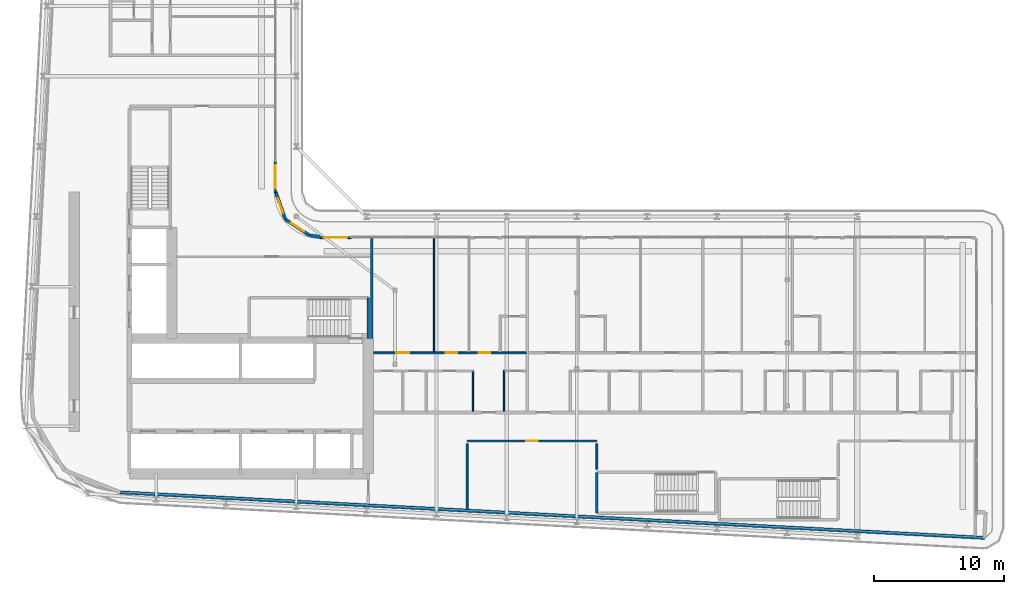
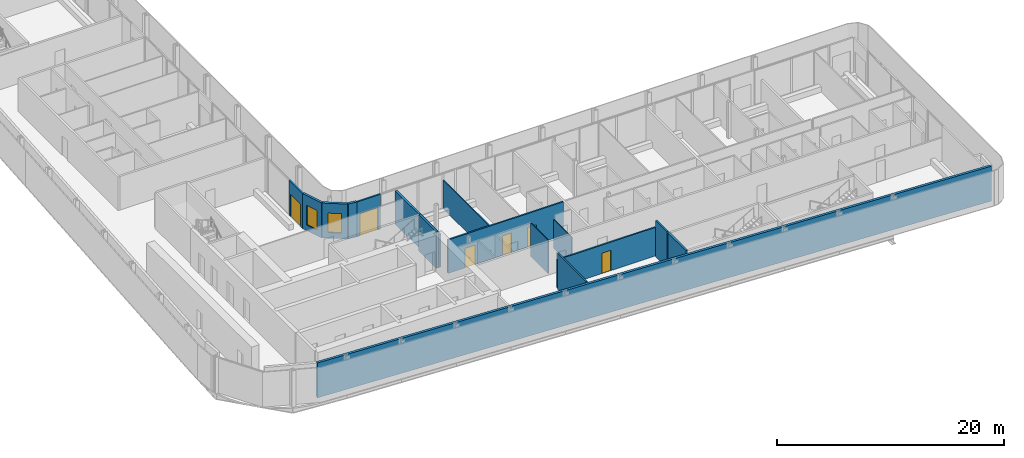
# One storey, part 15 of 28: 16 walls, 6 doors, 2 windows, 8 openings.
"""IFC4 building model written with IfcOpenShell, lengths in metres."""

from ifc_helpers import new_model, si_unit, direction, frame, frame_2d, origin, place, context, subcontext, project, spatial, rectangle, extrude, source, transform, mapped, material, layer, layer_set, type_object, element, fill, save


model = new_model("IFC4")

# Units and contexts
model_context = context("Model", 3, precision=1e-05, world=origin(), true_north=direction((0.0, 1.0)))
body_context = subcontext(model_context, "Body", "Model", "MODEL_VIEW")
ifc_project = project(units=[si_unit("LENGTHUNIT", "METRE"), si_unit("AREAUNIT", "SQUARE_METRE"), si_unit("VOLUMEUNIT", "CUBIC_METRE"), si_unit("PLANEANGLEUNIT", "RADIAN"), si_unit("MASSUNIT", "GRAM", prefix="KILO")], contexts=[model_context])

# Site, building, storey
site_placement = place(None, origin())
site = spatial("IfcSite", under=ifc_project, at=site_placement, CompositionType="ELEMENT")
building_placement = place(site_placement, origin())
building = spatial("IfcBuilding", under=site, at=building_placement, Name="Kheshtan School and Residences Tower", CompositionType="ELEMENT")
storey_placement = place(building_placement, frame((0.0, 0.0, 187.699951171875)))
storey = spatial("IfcBuildingStorey", under=building, at=storey_placement, Name="L44", CompositionType="ELEMENT", Elevation=187.699951171875)

# Wall, opening, window
ifc_material_1 = material(Name="Concrete C40/50 with ceramic cladding and mineral wool insulation", Category="concrete")
ifc_layer_1 = layer(ifc_material_1, 0.25)
ifc_layer_set_1 = layer_set([ifc_layer_1], Name="External wall 250 ceramic clad")
wall_type_1 = type_object("IfcWallType", Name="External wall 250 ceramic clad", PredefinedType="SOLIDWALL", material=ifc_layer_set_1)
wall_1_placement = place(storey_placement, frame((46.01806640625, 47.470947265625, 0.0), z_axis=(0.0, 0.0, 1.0), x_axis=(0.328791208903, -0.944402637093, 0.0)))
wall_1 = element("IfcWall", 1, at=wall_1_placement, inside=storey, type_object=wall_type_1, Name="External wall L44 9", PredefinedType="SOLIDWALL", context=body_context, shape_type="SweptSolid", body=[
    extrude(rectangle(XDim=2.20458984375, YDim=0.25, at=frame_2d((1.102294921875, 0.0))), origin(), (0.0, 0.0, 1.0), 3.75),
])
opening_1_placement = place(wall_1_placement, frame((0.5029296875, 0.0, 0.60009765625)))
opening_1 = element("IfcOpeningElement", 2, at=opening_1_placement, cuts=wall_1, Name="Opening WN-E", PredefinedType="OPENING", context=body_context, shape_type="SweptSolid", body=[
    extrude(rectangle(XDim=1.199951171875, YDim=2.10009765625, at=frame_2d((0.60009765625, 1.050048828125))), frame((0.0, 0.135009765625, 0.0), z_axis=(0.0, -1.0, 0.0), x_axis=(1.0, 0.0, 0.0)), (0.0, 0.0, 1.0), 0.27001953125),
])
ifc_material_2 = material(Name="Clear low-e glass in thermally broken aluminium frame", Category="aluminium")
window_type = type_object("IfcWindowType", Name="Window WN-E", PartitioningType="SINGLE_PANEL", PredefinedType="WINDOW", material=ifc_material_2)
shared_shape_1 = source(origin(), body_context, "Body", "SweptSolid", [
    extrude(rectangle(XDim=1.199951171875, YDim=2.10009765625, at=frame_2d((0.60009765625, 1.050048828125))), frame((0.0, 0.030029296875, 0.0), z_axis=(0.0, -1.0, 0.0), x_axis=(1.0, 0.0, 0.0)), (0.0, 0.0, 1.0), 0.06005859375),
])
window_1_placement = place(opening_1_placement, origin())
window_1 = element("IfcWindow", 3, at=window_1_placement, inside=storey, type_object=window_type, Name="Window L44 9", OverallHeight=2.10009765625, OverallWidth=1.199951171875, PartitioningType="SINGLE_PANEL", PredefinedType="WINDOW", context=body_context, shape_type="MappedRepresentation", body=[
    mapped(shared_shape_1, transform((0.0, 0.0, 0.0), x_axis=(1.0, 0.0, 0.0), y_axis=(0.0, 1.0, 0.0), z_axis=(0.0, 0.0, 1.0), scale=1.0)),
])
fill(opening_1, window_1)

wall_2_placement = place(storey_placement, frame((46.742919921875, 45.388916015625, 0.0), z_axis=(0.0, 0.0, 1.0), x_axis=(0.831449265529, -0.555600682912, 0.0)))
wall_2 = element("IfcWall", 4, at=wall_2_placement, inside=storey, type_object=wall_type_1, Name="External wall L44 10", PredefinedType="SOLIDWALL", context=body_context, shape_type="SweptSolid", body=[
    extrude(rectangle(XDim=2.25146484375, YDim=0.25, at=frame_2d((1.125732421875, 0.0))), origin(), (0.0, 0.0, 1.0), 3.75),
])
opening_2_placement = place(wall_2_placement, frame((0.52490234375, 0.0, 0.60009765625)))
opening_2 = element("IfcOpeningElement", 5, at=opening_2_placement, cuts=wall_2, Name="Opening WN-E", PredefinedType="OPENING", context=body_context, shape_type="SweptSolid", body=[
    extrude(rectangle(XDim=1.199951171875, YDim=2.10009765625, at=frame_2d((0.60009765625, 1.050048828125))), frame((0.0, 0.135009765625, 0.0), z_axis=(0.0, -1.0, 0.0), x_axis=(1.0, 0.0, 0.0)), (0.0, 0.0, 1.0), 0.27001953125),
])
window_2_placement = place(opening_2_placement, origin())
window_2 = element("IfcWindow", 6, at=window_2_placement, inside=storey, type_object=window_type, Name="Window L44 10", OverallHeight=2.10009765625, OverallWidth=1.199951171875, PartitioningType="SINGLE_PANEL", PredefinedType="WINDOW", context=body_context, shape_type="MappedRepresentation", body=[
    mapped(shared_shape_1, transform((0.0, 0.0, 0.0), x_axis=(1.0, 0.0, 0.0), y_axis=(0.0, 1.0, 0.0), z_axis=(0.0, 0.0, 1.0), scale=1.0)),
])
fill(opening_2, window_2)

# Walls
wall_3_placement = place(storey_placement, frame((48.614990234375, 44.137939453125, 0.0), z_axis=(0.0, 0.0, 1.0), x_axis=(0.990741504246, -0.135761819977, 0.0)))
element("IfcWall", 7, at=wall_3_placement, inside=storey, type_object=wall_type_1, Name="External wall L44 11", PredefinedType="SOLIDWALL", context=body_context, shape_type="SweptSolid", body=[
    extrude(rectangle(XDim=0.83984375, YDim=0.25, at=frame_2d((0.419921875, 0.0))), origin(), (0.0, 0.0, 1.0), 3.75),
])
wall_4_placement = place(storey_placement, frame((100.5859375, 20.85009765625, 0.0), z_axis=(0.0, 0.0, 1.0), x_axis=(-0.99861746497, 0.052565755559, 0.0)))
element("IfcWall", 8, at=wall_4_placement, inside=storey, type_object=wall_type_1, Name="External wall L44 16", PredefinedType="SOLIDWALL", context=body_context, shape_type="SweptSolid", body=[
    extrude(rectangle(XDim=66.638916015625, YDim=0.25, at=frame_2d((33.3193359375, 0.0))), origin(), (0.0, 0.0, 1.0), 3.75),
])

# Wall, opening, door
ifc_material_3 = material(Name="Aluminium frame wall with insulated infill", Category="aluminium")
ifc_layer_2 = layer(ifc_material_3, 0.14990234375)
ifc_layer_set_2 = layer_set([ifc_layer_2], Name="Glazing frame wall 150")
wall_type_2 = type_object("IfcWallType", Name="Glazing frame wall 150", PredefinedType="SOLIDWALL", material=ifc_layer_set_2)
wall_5_placement = place(storey_placement, frame((45.97509765625, 49.830078125, 0.0), z_axis=(0.0, 0.0, 1.0), x_axis=(0.0, -1.0, 0.0)))
wall_5 = element("IfcWall", 9, at=wall_5_placement, inside=storey, type_object=wall_type_2, Name="Balcony door wall L44 8.5", PredefinedType="SOLIDWALL", context=body_context, shape_type="SweptSolid", body=[
    extrude(rectangle(XDim=2.400146484375, YDim=0.14990234375, at=frame_2d((1.2001953125, 0.0))), origin(), (0.0, 0.0, 1.0), 3.75),
])
opening_3_placement = place(wall_5_placement, frame((0.300048828125, 0.0, 0.0)))
opening_3 = element("IfcOpeningElement", 10, at=opening_3_placement, cuts=wall_5, Name="Opening BD", PredefinedType="OPENING", context=body_context, shape_type="SweptSolid", body=[
    extrude(rectangle(XDim=1.800048828125, YDim=2.39990234375, at=frame_2d((0.89990234375, 1.199951171875))), frame((0.0, 0.0849609375, 0.0), z_axis=(0.0, -1.0, 0.0), x_axis=(1.0, 0.0, 0.0)), (0.0, 0.0, 1.0), 0.169921875),
])
door_type_1 = type_object("IfcDoorType", Name="Balcony sliding door", OperationType="SLIDING_TO_LEFT", PredefinedType="DOOR", material=ifc_material_2)
shared_shape_2 = source(origin(), body_context, "Body", "SweptSolid", [
    extrude(rectangle(XDim=1.800048828125, YDim=2.39990234375, at=frame_2d((0.89990234375, 1.199951171875))), frame((0.0, 0.02490234375, 0.0), z_axis=(0.0, -1.0, 0.0), x_axis=(1.0, 0.0, 0.0)), (0.0, 0.0, 1.0), 0.050048828125),
])
door_1_placement = place(opening_3_placement, origin())
door_1 = element("IfcDoor", 11, at=door_1_placement, inside=storey, type_object=door_type_1, Name="Balcony door L44 8.5", OperationType="SLIDING_TO_LEFT", OverallHeight=2.39990234375, OverallWidth=1.800048828125, PredefinedType="DOOR", context=body_context, shape_type="MappedRepresentation", body=[
    mapped(shared_shape_2, transform((0.0, 0.0, 0.0), x_axis=(1.0, 0.0, 0.0), y_axis=(0.0, 1.0, 0.0), z_axis=(0.0, 0.0, 1.0), scale=1.0)),
])
fill(opening_3, door_1)

wall_6_placement = place(storey_placement, frame((49.429931640625, 43.97509765625, 0.0), z_axis=(0.0, 0.0, 1.0), x_axis=(1.0, 0.0, 0.0)))
wall_6 = element("IfcWall", 12, at=wall_6_placement, inside=storey, type_object=wall_type_2, Name="Balcony door wall L44 12.1", PredefinedType="SOLIDWALL", context=body_context, shape_type="SweptSolid", body=[
    extrude(rectangle(XDim=2.400146484375, YDim=0.14990234375, at=frame_2d((1.2001953125, 0.0))), origin(), (0.0, 0.0, 1.0), 3.75),
])
opening_4_placement = place(wall_6_placement, frame((0.300048828125, 0.0, 0.0)))
opening_4 = element("IfcOpeningElement", 13, at=opening_4_placement, cuts=wall_6, Name="Opening BD", PredefinedType="OPENING", context=body_context, shape_type="SweptSolid", body=[
    extrude(rectangle(XDim=1.800048828125, YDim=2.39990234375, at=frame_2d((0.89990234375, 1.199951171875))), frame((0.0, 0.0849609375, 0.0), z_axis=(0.0, -1.0, 0.0), x_axis=(1.0, 0.0, 0.0)), (0.0, 0.0, 1.0), 0.169921875),
])
door_2_placement = place(opening_4_placement, origin())
door_2 = element("IfcDoor", 14, at=door_2_placement, inside=storey, type_object=door_type_1, Name="Balcony door L44 12.1", OperationType="SLIDING_TO_LEFT", OverallHeight=2.39990234375, OverallWidth=1.800048828125, PredefinedType="DOOR", context=body_context, shape_type="MappedRepresentation", body=[
    mapped(shared_shape_2, transform((0.0, 0.0, 0.0), x_axis=(1.0, 0.0, 0.0), y_axis=(0.0, 1.0, 0.0), z_axis=(0.0, 0.0, 1.0), scale=1.0)),
])
fill(opening_4, door_2)

# Walls
ifc_material_4 = material(Name="Gypsum board on steel studs", Category="steel")
ifc_layer_3 = layer(ifc_material_4, 0.10009765625)
ifc_layer_set_3 = layer_set([ifc_layer_3], Name="Gypsum partition 100")
wall_type_3 = type_object("IfcWallType", Name="Gypsum partition 100", PredefinedType="PARTITIONING", material=ifc_layer_set_3)
wall_7_placement = place(storey_placement, frame((58.199951171875, 35.175048828125, 0.0), z_axis=(0.0, 0.0, 1.0), x_axis=(0.0, 1.0, 0.0)))
element("IfcWall", 15, at=wall_7_placement, inside=storey, type_object=wall_type_3, Name="Partition L44-040", PredefinedType="PARTITIONING", context=body_context, shape_type="SweptSolid", body=[
    extrude(rectangle(XDim=8.724853515625, YDim=0.10009765625, at=frame_2d((4.3623046875, 0.0))), origin(), (0.0, 0.0, 1.0), 3.072021484375),
])
wall_8_placement = place(storey_placement, frame((61.199951171875, 30.60009765625, 0.0), z_axis=(0.0, 0.0, 1.0), x_axis=(0.0, 1.0, 0.0)))
element("IfcWall", 16, at=wall_8_placement, inside=storey, type_object=wall_type_3, Name="Partition L44-042", PredefinedType="PARTITIONING", context=body_context, shape_type="SweptSolid", body=[
    extrude(rectangle(XDim=3.02490234375, YDim=0.10009765625, at=frame_2d((1.512451171875, 0.0))), origin(), (0.0, 0.0, 1.0), 3.60009765625),
])
wall_9_placement = place(storey_placement, frame((63.60009765625, 30.60009765625, 0.0), z_axis=(0.0, 0.0, 1.0), x_axis=(0.0, 1.0, 0.0)))
element("IfcWall", 17, at=wall_9_placement, inside=storey, type_object=wall_type_3, Name="Partition L44-045", PredefinedType="PARTITIONING", context=body_context, shape_type="SweptSolid", body=[
    extrude(rectangle(XDim=3.14990234375, YDim=0.10009765625, at=frame_2d((1.574951171875, 0.0))), origin(), (0.0, 0.0, 1.0), 3.072021484375),
])

# Wall, opening, door
ifc_material_5 = material(Name="Fire-board shaft wall system")
ifc_layer_4 = layer(ifc_material_5, 0.14990234375)
ifc_layer_set_4 = layer_set([ifc_layer_4], Name="Service room wall 150")
wall_type_4 = type_object("IfcWallType", Name="Service room wall 150", PredefinedType="PARTITIONING", material=ifc_layer_set_4)
wall_10_placement = place(storey_placement, frame((60.75, 28.300048828125, 0.0), z_axis=(0.0, 0.0, 1.0), x_axis=(1.0, 0.0, 0.0)))
wall_10 = element("IfcWall", 18, at=wall_10_placement, inside=storey, type_object=wall_type_4, Name="Service room wall", PredefinedType="PARTITIONING", context=body_context, shape_type="SweptSolid", body=[
    extrude(rectangle(XDim=10.0, YDim=0.14990234375, at=frame_2d((5.0, 0.0))), origin(), (0.0, 0.0, 1.0), 3.072021484375),
])
opening_5_placement = place(wall_10_placement, frame((4.550048828125, 0.0, 0.0)))
opening_5 = element("IfcOpeningElement", 19, at=opening_5_placement, cuts=wall_10, Name="Opening SR90", PredefinedType="OPENING", context=body_context, shape_type="SweptSolid", body=[
    extrude(rectangle(XDim=0.89990234375, YDim=2.199951171875, at=frame_2d((0.449951171875, 1.10009765625))), frame((0.0, 0.0849609375, 0.0), z_axis=(0.0, -1.0, 0.0), x_axis=(1.0, 0.0, 0.0)), (0.0, 0.0, 1.0), 0.169921875),
])
ifc_material_6 = material(Name="Steel door leaf, galvanised", Category="steel")
door_type_2 = type_object("IfcDoorType", Name="Service room door 900 steel 90 min", OperationType="SINGLE_SWING_LEFT", PredefinedType="DOOR", material=ifc_material_6)
shared_shape_3 = source(origin(), body_context, "Body", "SweptSolid", [
    extrude(rectangle(XDim=0.89990234375, YDim=2.199951171875, at=frame_2d((0.449951171875, 1.10009765625))), frame((0.0, 0.02490234375, 0.0), z_axis=(0.0, -1.0, 0.0), x_axis=(1.0, 0.0, 0.0)), (0.0, 0.0, 1.0), 0.050048828125),
])
door_3_placement = place(opening_5_placement, origin())
door_3 = element("IfcDoor", 20, at=door_3_placement, inside=storey, type_object=door_type_2, Name="Service room door", OperationType="SINGLE_SWING_LEFT", OverallHeight=2.199951171875, OverallWidth=0.89990234375, PredefinedType="DOOR", context=body_context, shape_type="MappedRepresentation", body=[
    mapped(shared_shape_3, transform((0.0, 0.0, 0.0), x_axis=(1.0, 0.0, 0.0), y_axis=(0.0, 1.0, 0.0), z_axis=(0.0, 0.0, 1.0), scale=1.0)),
])
fill(opening_5, door_3)

# Walls
wall_11_placement = place(storey_placement, frame((60.75, 23.074951171875, 0.0), z_axis=(0.0, 0.0, 1.0), x_axis=(0.0, 1.0, 0.0)))
element("IfcWall", 21, at=wall_11_placement, inside=storey, type_object=wall_type_4, Name="Service room wall", PredefinedType="PARTITIONING", context=body_context, shape_type="SweptSolid", body=[
    extrude(rectangle(XDim=5.030029296875, YDim=0.14990234375, at=frame_2d((2.51513671875, 0.0))), origin(), (0.0, 0.0, 1.0), 3.900146484375),
])
wall_12_placement = place(storey_placement, frame((70.75, 26.1201171875, 0.0), z_axis=(0.0, 0.0, 1.0), x_axis=(0.0, 1.0, 0.0)))
element("IfcWall", 22, at=wall_12_placement, inside=storey, type_object=wall_type_4, Name="Service room wall", PredefinedType="PARTITIONING", context=body_context, shape_type="SweptSolid", body=[
    extrude(rectangle(XDim=1.98486328125, YDim=0.14990234375, at=frame_2d((0.992431640625, 0.0))), origin(), (0.0, 0.0, 1.0), 3.900146484375),
])
ifc_material_7 = material(Name="Concrete C40/50", Category="concrete")
ifc_layer_5 = layer(ifc_material_7, 0.199951171875)
ifc_layer_set_5 = layer_set([ifc_layer_5], Name="Stair enclosure wall 200 Concrete C40/50")
wall_type_5 = type_object("IfcWallType", Name="Stair enclosure wall 200 Concrete C40/50", PredefinedType="SHEAR", material=ifc_layer_set_5)
wall_13_placement = place(storey_placement, frame((53.14990234375, 36.199951171875, 0.0), z_axis=(0.0, 0.0, 1.0), x_axis=(0.0, 1.0, 0.0)))
element("IfcWall", 23, at=wall_13_placement, inside=storey, type_object=wall_type_5, Name="Stair enclosure wall ST1", PredefinedType="SHEAR", context=body_context, shape_type="SweptSolid", body=[
    extrude(rectangle(XDim=3.150146484375, YDim=0.199951171875, at=frame_2d((1.5751953125, 0.0))), origin(), (0.0, 0.0, 1.0), 3.900146484375),
])
wall_14_placement = place(storey_placement, frame((70.75, 22.75, 0.0), z_axis=(0.0, 0.0, 1.0), x_axis=(0.0, 1.0, 0.0)))
element("IfcWall", 24, at=wall_14_placement, inside=storey, type_object=wall_type_5, Name="Stair enclosure wall ST5", PredefinedType="SHEAR", context=body_context, shape_type="SweptSolid", body=[
    extrude(rectangle(XDim=3.14990234375, YDim=0.199951171875, at=frame_2d((1.574951171875, 0.0))), origin(), (0.0, 0.0, 1.0), 3.900146484375),
])
ifc_material_8 = material(Name="Twin gypsum board on steel studs with mineral wool", Category="steel")
ifc_layer_6 = layer(ifc_material_8, 0.199951171875)
ifc_layer_set_6 = layer_set([ifc_layer_6], Name="Unit demising wall 200")
wall_type_6 = type_object("IfcWallType", Name="Unit demising wall 200", PredefinedType="PARTITIONING", material=ifc_layer_set_6)
wall_15_placement = place(storey_placement, frame((53.39990234375, 36.198974609375, 0.0), z_axis=(0.0, 0.0, 1.0), x_axis=(0.0, 1.0, 0.0)))
element("IfcWall", 25, at=wall_15_placement, inside=storey, type_object=wall_type_6, Name="Partition L44-034", PredefinedType="PARTITIONING", context=body_context, shape_type="SweptSolid", body=[
    extrude(rectangle(XDim=7.700927734375, YDim=0.199951171875, at=frame_2d((3.8505859375, 0.0))), origin(), (0.0, 0.0, 1.0), 3.60009765625),
])

# Wall, openings, doors
ifc_material_9 = material(Name="Moisture-resistant gypsum board on steel studs", Category="steel")
ifc_layer_7 = layer(ifc_material_9, 0.14990234375)
ifc_layer_set_7 = layer_set([ifc_layer_7], Name="Wet-room partition 150")
wall_type_7 = type_object("IfcWallType", Name="Wet-room partition 150", PredefinedType="PARTITIONING", material=ifc_layer_set_7)
wall_16_placement = place(storey_placement, frame((53.549072265625, 35.10009765625, 0.0), z_axis=(0.0, 0.0, 1.0), x_axis=(1.0, 0.0, 0.0)))
wall_16 = element("IfcWall", 26, at=wall_16_placement, inside=storey, type_object=wall_type_7, Name="Partition L44-037", PredefinedType="PARTITIONING", context=body_context, shape_type="SweptSolid", body=[
    extrude(rectangle(XDim=11.7509765625, YDim=0.14990234375, at=frame_2d((5.87548828125, 0.0))), origin(), (0.0, 0.0, 1.0), 3.60009765625),
])
opening_6_placement = place(wall_16_placement, frame((5.551025390625, 0.0, 0.0)))
opening_6 = element("IfcOpeningElement", 27, at=opening_6_placement, cuts=wall_16, Name="Opening D43-002", PredefinedType="OPENING", context=body_context, shape_type="SweptSolid", body=[
    extrude(rectangle(XDim=0.89990234375, YDim=2.10009765625, at=frame_2d((0.449951171875, 1.050048828125))), frame((0.0, 0.0849609375, 0.0), z_axis=(0.0, -1.0, 0.0), x_axis=(1.0, 0.0, 0.0)), (0.0, 0.0, 1.0), 0.169921875),
])
opening_7_placement = place(wall_16_placement, frame((1.7509765625, 0.0, 0.0)))
opening_7 = element("IfcOpeningElement", 28, at=opening_7_placement, cuts=wall_16, Name="Opening D43-006", PredefinedType="OPENING", context=body_context, shape_type="SweptSolid", body=[
    extrude(rectangle(XDim=1.0, YDim=2.10009765625, at=frame_2d((0.5, 1.050048828125))), frame((0.0, 0.0849609375, 0.0), z_axis=(0.0, -1.0, 0.0), x_axis=(1.0, 0.0, 0.0)), (0.0, 0.0, 1.0), 0.169921875),
])
opening_8_placement = place(wall_16_placement, frame((8.10107421875, 0.0, 0.0)))
opening_8 = element("IfcOpeningElement", 29, at=opening_8_placement, cuts=wall_16, Name="Opening D43-007", PredefinedType="OPENING", context=body_context, shape_type="SweptSolid", body=[
    extrude(rectangle(XDim=0.89990234375, YDim=2.10009765625, at=frame_2d((0.449951171875, 1.050048828125))), frame((0.0, 0.0849609375, 0.0), z_axis=(0.0, -1.0, 0.0), x_axis=(1.0, 0.0, 0.0)), (0.0, 0.0, 1.0), 0.169921875),
])
ifc_material_10 = material(Name="Veneered timber door leaf", Category="wood")
door_type_3 = type_object("IfcDoorType", Name="Door 1000 x 2100", OperationType="SINGLE_SWING_LEFT", PredefinedType="DOOR", material=ifc_material_10)
shared_shape_4 = source(origin(), body_context, "Body", "SweptSolid", [
    extrude(rectangle(XDim=1.0, YDim=2.10009765625, at=frame_2d((0.5, 1.050048828125))), frame((0.0, 0.02490234375, 0.0), z_axis=(0.0, -1.0, 0.0), x_axis=(1.0, 0.0, 0.0)), (0.0, 0.0, 1.0), 0.050048828125),
])
door_4_placement = place(opening_7_placement, origin())
door_4 = element("IfcDoor", 30, at=door_4_placement, inside=storey, type_object=door_type_3, Name="Door D43-006", OperationType="SINGLE_SWING_LEFT", OverallHeight=2.10009765625, OverallWidth=1.0, PredefinedType="DOOR", context=body_context, shape_type="MappedRepresentation", body=[
    mapped(shared_shape_4, transform((0.0, 0.0, 0.0), x_axis=(1.0, 0.0, 0.0), y_axis=(0.0, 1.0, 0.0), z_axis=(0.0, 0.0, 1.0), scale=1.0)),
])
fill(opening_7, door_4)
door_type_4 = type_object("IfcDoorType", Name="Door 900 x 2100", OperationType="SINGLE_SWING_LEFT", PredefinedType="DOOR", material=ifc_material_10)
shared_shape_5 = source(origin(), body_context, "Body", "SweptSolid", [
    extrude(rectangle(XDim=0.89990234375, YDim=2.10009765625, at=frame_2d((0.449951171875, 1.050048828125))), frame((0.0, 0.02490234375, 0.0), z_axis=(0.0, -1.0, 0.0), x_axis=(1.0, 0.0, 0.0)), (0.0, 0.0, 1.0), 0.050048828125),
])
door_5_placement = place(opening_6_placement, origin())
door_5 = element("IfcDoor", 31, at=door_5_placement, inside=storey, type_object=door_type_4, Name="Door D43-002", OperationType="SINGLE_SWING_RIGHT", OverallHeight=2.10009765625, OverallWidth=0.89990234375, PredefinedType="DOOR", context=body_context, shape_type="MappedRepresentation", body=[
    mapped(shared_shape_5, transform((0.0, 0.0, 0.0), x_axis=(1.0, 0.0, 0.0), y_axis=(0.0, 1.0, 0.0), z_axis=(0.0, 0.0, 1.0), scale=1.0)),
])
fill(opening_6, door_5)
door_6_placement = place(opening_8_placement, origin())
door_6 = element("IfcDoor", 32, at=door_6_placement, inside=storey, type_object=door_type_4, Name="Door D43-007", OperationType="SINGLE_SWING_RIGHT", OverallHeight=2.10009765625, OverallWidth=0.89990234375, PredefinedType="DOOR", context=body_context, shape_type="MappedRepresentation", body=[
    mapped(shared_shape_5, transform((0.0, 0.0, 0.0), x_axis=(1.0, 0.0, 0.0), y_axis=(0.0, 1.0, 0.0), z_axis=(0.0, 0.0, 1.0), scale=1.0)),
])
fill(opening_8, door_6)

save(model, "model.ifc")
